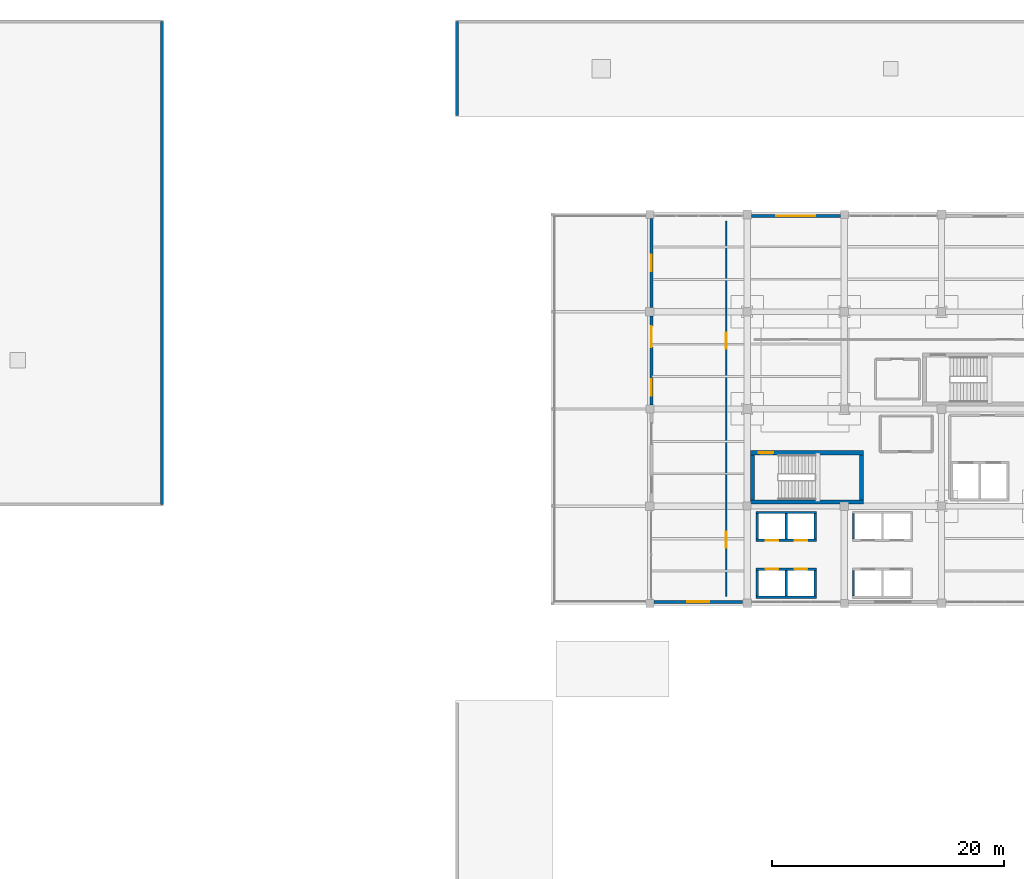
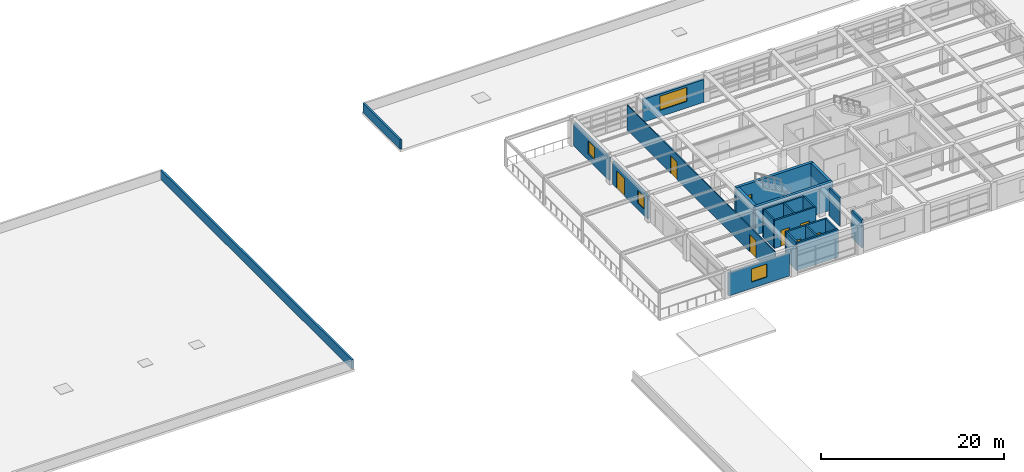
# One storey, part 31 of 35: 23 walls, 8 doors, 4 windows, 12 openings.
"""IFC4 building model written with IfcOpenShell, lengths in metres."""

from ifc_helpers import new_model, si_unit, direction, frame, frame_2d, origin, place, context, subcontext, project, spatial, rectangle, extrude, material, layer, layer_set, type_object, element, fill, save


model = new_model("IFC4")

# Units and contexts
model_context = context("Model", 3, precision=1e-05, world=origin(), true_north=direction((0.0, 1.0)))
body_context = subcontext(model_context, "Body", "Model", "MODEL_VIEW")
ifc_project = project(units=[si_unit("LENGTHUNIT", "METRE"), si_unit("AREAUNIT", "SQUARE_METRE"), si_unit("VOLUMEUNIT", "CUBIC_METRE"), si_unit("PLANEANGLEUNIT", "RADIAN"), si_unit("MASSUNIT", "GRAM", prefix="KILO")], contexts=[model_context])

# Site, building, storey
site_placement = place(None, origin())
site = spatial("IfcSite", under=ifc_project, at=site_placement, CompositionType="ELEMENT")
building_placement = place(site_placement, origin())
building = spatial("IfcBuilding", under=site, at=building_placement, Name="Almacenes y Pasaje Nevantli", CompositionType="ELEMENT")
storey_placement = place(building_placement, frame((0.0, 0.0, 26.699951171875)))
storey = spatial("IfcBuildingStorey", under=building, at=storey_placement, Name="L06", CompositionType="ELEMENT", Elevation=26.699951171875)

# Wall
ifc_material_1 = material(Name="Concrete C45/55", Category="concrete")
ifc_layer_1 = layer(ifc_material_1, 0.35009765625)
ifc_layer_set_1 = layer_set([ifc_layer_1], Name="Concrete C45/55")
wall_type_1 = type_object("IfcWallType", Name="WL-CORE-350", PredefinedType="SHEAR", material=ifc_layer_set_1)
wall_1_placement = place(storey_placement, frame((117.89990234375, 75.97509765625, 0.0), z_axis=(0.0, 0.0, 1.0), x_axis=(1.0, 0.0, 0.0)))
element("IfcWall", 1, at=wall_1_placement, inside=storey, type_object=wall_type_1, Name="L06 Exit Stair ST-01 South Core Shear Wall", PredefinedType="SHEAR", context=body_context, shape_type="SweptSolid", body=[
    extrude(rectangle(XDim=9.75, YDim=0.35009765625, at=frame_2d((4.875, 0.0))), origin(), (0.0, 0.0, 1.0), 3.719970703125),
])

# Wall, opening, door
wall_2_placement = place(storey_placement, frame((117.89990234375, 80.215087890625, 0.0), z_axis=(0.0, 0.0, 1.0), x_axis=(1.0, 0.0, 0.0)))
wall_2 = element("IfcWall", 2, at=wall_2_placement, inside=storey, type_object=wall_type_1, Name="L06 Exit Stair ST-01 North Core Shear Wall", PredefinedType="SHEAR", context=body_context, shape_type="SweptSolid", body=[
    extrude(rectangle(XDim=9.75, YDim=0.35009765625, at=frame_2d((4.875, 0.0))), origin(), (0.0, 0.0, 1.0), 3.719970703125),
])
opening_1_placement = place(wall_2_placement, frame((0.719970703125, 0.0, 0.0)))
opening_1 = element("IfcOpeningElement", 3, at=opening_1_placement, cuts=wall_2, Name="Opening SD-01-L06", PredefinedType="OPENING", context=body_context, shape_type="SweptSolid", body=[
    extrude(rectangle(XDim=1.25, YDim=2.199951171875, at=frame_2d((0.625, 1.10009765625))), frame((0.0, 0.18505859375, 0.0), z_axis=(0.0, -1.0, 0.0), x_axis=(1.0, 0.0, 0.0)), (0.0, 0.0, 1.0), 0.3701171875),
])
ifc_material_2 = material(Name="Galvanized Fire-Rated Steel", Category="steel")
door_type_1 = type_object("IfcDoorType", Name="DR-STAIR-1250", OperationType="SINGLE_SWING_LEFT", PredefinedType="DOOR", material=ifc_material_2)
door_1_placement = place(opening_1_placement, origin())
door_1 = element("IfcDoor", 4, at=door_1_placement, inside=storey, type_object=door_type_1, Name="L06 Smokeproof Exit Stair ST-01 Fire Door", OperationType="SINGLE_SWING_LEFT", OverallHeight=2.199951171875, OverallWidth=1.25, PredefinedType="DOOR", context=body_context, shape_type="SweptSolid", body=[
    extrude(rectangle(XDim=1.25, YDim=2.199951171875, at=frame_2d((0.625, 1.10009765625))), frame((0.0, 0.02490234375, 0.0), z_axis=(0.0, -1.0, 0.0), x_axis=(1.0, 0.0, 0.0)), (0.0, 0.0, 1.0), 0.050048828125),
])
fill(opening_1, door_1)

# Walls
for number, where, z_axis, x_axis, name in (
    (5, (118.074951171875, 76.14990234375, 0.0), (0.0, 0.0, 1.0), (0.0, 1.0, 0.0), "L06 Exit Stair ST-01 West Core Shear Wall"),
    (6, (127.47509765625, 76.14990234375, 0.0), (0.0, 0.0, 1.0), (0.0, 1.0, 0.0), "L06 Exit Stair ST-01 East Core Shear Wall"),
):
    element("IfcWall", number, at=place(storey_placement, frame(where, z_axis=z_axis, x_axis=x_axis)), inside=storey, type_object=wall_type_1, Name=name, PredefinedType="SHEAR", context=body_context, shape_type="SweptSolid", body=[
        extrude(rectangle(XDim=3.89013671875, YDim=0.35009765625, at=frame_2d((1.945068359375, 0.0))), origin(), (0.0, 0.0, 1.0), 3.719970703125),
    ])

# Wall, opening, window
ifc_material_3 = material(Name="Architectural Precast Concrete C35/45 Spandrel Wall", Category="concrete")
ifc_layer_2 = layer(ifc_material_3, 0.280029296875)
ifc_layer_set_2 = layer_set([ifc_layer_2], Name="Architectural Precast Concrete C35/45 Spandrel Wall")
wall_type_2 = type_object("IfcWallType", Name="WL-EXT-CANTERA-280", PredefinedType="SOLIDWALL", material=ifc_layer_set_2)
wall_3_placement = place(storey_placement, frame((117.97802734375, 100.659912109375, 0.0), z_axis=(0.0, 0.0, 1.0), x_axis=(1.0, 0.0, 0.0)))
wall_3 = element("IfcWall", 7, at=wall_3_placement, inside=storey, type_object=wall_type_2, Name="L06 Tower North Polychrome Cantera Wall Bay 15", PredefinedType="SOLIDWALL", context=body_context, shape_type="SweptSolid", body=[
    extrude(rectangle(XDim=7.669921875, YDim=0.280029296875, at=frame_2d((3.8349609375, 0.0))), origin(), (0.0, 0.0, 1.0), 3.0400390625),
])
opening_2_placement = place(wall_3_placement, frame((2.1220703125, 0.0, 0.85009765625)))
opening_2 = element("IfcOpeningElement", 8, at=opening_2_placement, cuts=wall_3, Name="Opening WT-27-192", PredefinedType="OPENING", context=body_context, shape_type="SweptSolid", body=[
    extrude(rectangle(XDim=3.39990234375, YDim=1.89990234375, at=frame_2d((1.699951171875, 0.949951171875))), frame((0.0, 0.14990234375, 0.0), z_axis=(0.0, -1.0, 0.0), x_axis=(1.0, 0.0, 0.0)), (0.0, 0.0, 1.0), 0.300048828125),
])
ifc_material_4 = material(Name="Thermally Broken Aluminium and Low-E Double Glazing", Category="aluminium")
window_type_1 = type_object("IfcWindowType", Name="WN-TWR-3400x1900", PartitioningType="SINGLE_PANEL", PredefinedType="WINDOW", material=ifc_material_4)
window_1_placement = place(opening_2_placement, origin())
window_1 = element("IfcWindow", 9, at=window_1_placement, inside=storey, type_object=window_type_1, Name="L06 Exterior Window WT-27 #192", OverallHeight=1.89990234375, OverallWidth=3.39990234375, PartitioningType="SINGLE_PANEL", PredefinedType="WINDOW", context=body_context, shape_type="SweptSolid", body=[
    extrude(rectangle(XDim=3.39990234375, YDim=1.89990234375, at=frame_2d((1.699951171875, 0.949951171875))), frame((0.0, 0.030029296875, 0.0), z_axis=(0.0, -1.0, 0.0), x_axis=(1.0, 0.0, 0.0)), (0.0, 0.0, 1.0), 0.06005859375),
])
fill(opening_2, window_1)

# Wall, openings, door, window
wall_4_placement = place(storey_placement, frame((109.340087890625, 84.35205078125, 0.0), z_axis=(0.0, 0.0, 1.0), x_axis=(0.0, 1.0, 0.0)))
wall_4 = element("IfcWall", 10, at=wall_4_placement, inside=storey, type_object=wall_type_2, Name="L06 Tower West Ziggurat Terrace Door Wall Bay 11", PredefinedType="SOLIDWALL", context=body_context, shape_type="SweptSolid", body=[
    extrude(rectangle(XDim=7.669921875, YDim=0.280029296875, at=frame_2d((3.8349609375, 0.0))), origin(), (0.0, 0.0, 1.0), 3.0400390625),
])
opening_3_placement = place(wall_4_placement, frame((0.798095703125, 0.0, 0.85009765625)))
opening_3 = element("IfcOpeningElement", 11, at=opening_3_placement, cuts=wall_4, Name="Opening WT-34-199", PredefinedType="OPENING", context=body_context, shape_type="SweptSolid", body=[
    extrude(rectangle(XDim=1.39990234375, YDim=1.699951171875, at=frame_2d((0.699951171875, 0.85009765625))), frame((0.0, 0.14990234375, 0.0), z_axis=(0.0, -1.0, 0.0), x_axis=(1.0, 0.0, 0.0)), (0.0, 0.0, 1.0), 0.300048828125),
])
opening_4_placement = place(wall_4_placement, frame((4.998046875, 0.0, 0.0)))
opening_4 = element("IfcOpeningElement", 12, at=opening_4_placement, cuts=wall_4, Name="Opening ED-L06-042", PredefinedType="OPENING", context=body_context, shape_type="SweptSolid", body=[
    extrude(rectangle(XDim=1.800048828125, YDim=2.35009765625, at=frame_2d((0.89990234375, 1.175048828125))), frame((0.0, 0.14990234375, 0.0), z_axis=(0.0, -1.0, 0.0), x_axis=(1.0, 0.0, 0.0)), (0.0, 0.0, 1.0), 0.300048828125),
])
ifc_material_5 = material(Name="Anodized Aluminium and Safety Glass", Category="aluminium")
door_type_2 = type_object("IfcDoorType", Name="DR-EXT-TER-1800", OperationType="DOUBLE_DOOR_SINGLE_SWING", PredefinedType="DOOR", material=ifc_material_5)
door_2_placement = place(opening_4_placement, origin())
door_2 = element("IfcDoor", 13, at=door_2_placement, inside=storey, type_object=door_type_2, Name="L06 Office Lounge to Ziggurat Roof Terrace Door #2", OperationType="DOUBLE_DOOR_SINGLE_SWING", OverallHeight=2.35009765625, OverallWidth=1.800048828125, PredefinedType="DOOR", context=body_context, shape_type="SweptSolid", body=[
    extrude(rectangle(XDim=1.800048828125, YDim=2.35009765625, at=frame_2d((0.89990234375, 1.175048828125))), frame((0.0, 0.02490234375, 0.0), z_axis=(0.0, -1.0, 0.0), x_axis=(1.0, 0.0, 0.0)), (0.0, 0.0, 1.0), 0.050048828125),
])
fill(opening_4, door_2)
ifc_material_6 = material(Name="Thermally Broken Aluminium and Low-E Double Glazing", Category="aluminium")
window_type_2 = type_object("IfcWindowType", Name="WN-TWR-1400x1700", PartitioningType="SINGLE_PANEL", PredefinedType="WINDOW", material=ifc_material_6)
window_2_placement = place(opening_3_placement, origin())
window_2 = element("IfcWindow", 14, at=window_2_placement, inside=storey, type_object=window_type_2, Name="L06 Exterior Window WT-34 #199", OverallHeight=1.699951171875, OverallWidth=1.39990234375, PartitioningType="SINGLE_PANEL", PredefinedType="WINDOW", context=body_context, shape_type="SweptSolid", body=[
    extrude(rectangle(XDim=1.39990234375, YDim=1.699951171875, at=frame_2d((0.699951171875, 0.85009765625))), frame((0.0, 0.030029296875, 0.0), z_axis=(0.0, -1.0, 0.0), x_axis=(1.0, 0.0, 0.0)), (0.0, 0.0, 1.0), 0.06005859375),
])
fill(opening_3, window_2)

# Wall, opening, window
wall_5_placement = place(storey_placement, frame((109.340087890625, 92.778076171875, 0.0), z_axis=(0.0, 0.0, 1.0), x_axis=(0.0, 1.0, 0.0)))
wall_5 = element("IfcWall", 15, at=wall_5_placement, inside=storey, type_object=wall_type_2, Name="L06 Tower West Cantera Wall Bay 12", PredefinedType="SOLIDWALL", context=body_context, shape_type="SweptSolid", body=[
    extrude(rectangle(XDim=7.66796875, YDim=0.280029296875, at=frame_2d((3.833984375, 0.0))), origin(), (0.0, 0.0, 1.0), 3.0400390625),
])
opening_5_placement = place(wall_5_placement, frame((3.1220703125, 0.0, 0.85009765625)))
opening_5 = element("IfcOpeningElement", 16, at=opening_5_placement, cuts=wall_5, Name="Opening WT-34-201", PredefinedType="OPENING", context=body_context, shape_type="SweptSolid", body=[
    extrude(rectangle(XDim=1.39990234375, YDim=1.699951171875, at=frame_2d((0.699951171875, 0.85009765625))), frame((0.0, 0.14990234375, 0.0), z_axis=(0.0, -1.0, 0.0), x_axis=(1.0, 0.0, 0.0)), (0.0, 0.0, 1.0), 0.300048828125),
])
window_3_placement = place(opening_5_placement, origin())
window_3 = element("IfcWindow", 17, at=window_3_placement, inside=storey, type_object=window_type_2, Name="L06 Exterior Window WT-34 #201", OverallHeight=1.699951171875, OverallWidth=1.39990234375, PartitioningType="SINGLE_PANEL", PredefinedType="WINDOW", context=body_context, shape_type="SweptSolid", body=[
    extrude(rectangle(XDim=1.39990234375, YDim=1.699951171875, at=frame_2d((0.699951171875, 0.85009765625))), frame((0.0, 0.030029296875, 0.0), z_axis=(0.0, -1.0, 0.0), x_axis=(1.0, 0.0, 0.0)), (0.0, 0.0, 1.0), 0.06005859375),
])
fill(opening_5, window_3)

ifc_material_7 = material(Name="Cream Architectural Precast Concrete C35/45 Wall", Category="concrete")
ifc_layer_3 = layer(ifc_material_7, 0.260009765625)
ifc_layer_set_3 = layer_set([ifc_layer_3], Name="Cream Architectural Precast Concrete C35/45 Wall")
wall_type_3 = type_object("IfcWallType", Name="WL-EXT-PRECAST-260", PredefinedType="SOLIDWALL", material=ifc_layer_set_3)
wall_6_placement = place(storey_placement, frame((109.553955078125, 67.340087890625, 0.0), z_axis=(0.0, 0.0, 1.0), x_axis=(1.0, 0.0, 0.0)))
wall_6 = element("IfcWall", 18, at=wall_6_placement, inside=storey, type_object=wall_type_3, Name="L06 Tower South Precast Spandrel Wall Bay 14", PredefinedType="SOLIDWALL", context=body_context, shape_type="SweptSolid", body=[
    extrude(rectangle(XDim=7.66796875, YDim=0.260009765625, at=frame_2d((3.833984375, 0.0))), origin(), (0.0, 0.0, 1.0), 3.0400390625),
])
opening_6_placement = place(wall_6_placement, frame((2.89599609375, 0.0, 0.85009765625)))
opening_6 = element("IfcOpeningElement", 19, at=opening_6_placement, cuts=wall_6, Name="Opening WT-32-191", PredefinedType="OPENING", context=body_context, shape_type="SweptSolid", body=[
    extrude(rectangle(XDim=1.89990234375, YDim=1.75, at=frame_2d((0.949951171875, 0.875))), frame((0.0, 0.139892578125, 0.0), z_axis=(0.0, -1.0, 0.0), x_axis=(1.0, 0.0, 0.0)), (0.0, 0.0, 1.0), 0.280029296875),
])
ifc_material_8 = material(Name="Thermally Broken Aluminium and Low-E Double Glazing", Category="aluminium")
window_type_3 = type_object("IfcWindowType", Name="WN-TWR-1900x1750", PartitioningType="SINGLE_PANEL", PredefinedType="WINDOW", material=ifc_material_8)
window_4_placement = place(opening_6_placement, origin())
window_4 = element("IfcWindow", 20, at=window_4_placement, inside=storey, type_object=window_type_3, Name="L06 Exterior Window WT-32 #191", OverallHeight=1.75, OverallWidth=1.89990234375, PartitioningType="SINGLE_PANEL", PredefinedType="WINDOW", context=body_context, shape_type="SweptSolid", body=[
    extrude(rectangle(XDim=1.89990234375, YDim=1.75, at=frame_2d((0.949951171875, 0.875))), frame((0.0, 0.030029296875, 0.0), z_axis=(0.0, -1.0, 0.0), x_axis=(1.0, 0.0, 0.0)), (0.0, 0.0, 1.0), 0.06005859375),
])
fill(opening_6, window_4)

# Walls
ifc_material_9 = material(Name="Reinforced Concrete C35/45 Roof Parapet", Category="concrete")
ifc_layer_4 = layer(ifc_material_9, 0.239990234375)
ifc_layer_set_4 = layer_set([ifc_layer_4], Name="Reinforced Concrete C35/45 Roof Parapet")
wall_type_4 = type_object("IfcWallType", Name="WL-PARAPET-240", PredefinedType="PARAPET", material=ifc_layer_set_4)
wall_7_placement = place(storey_placement, frame((67.050048828125, 75.75, 0.0), z_axis=(0.0, 0.0, 1.0), x_axis=(0.0, 1.0, 0.0)))
element("IfcWall", 21, at=wall_7_placement, inside=storey, type_object=wall_type_4, Name="L06 NW Plant Roof East Parapet", PredefinedType="PARAPET", context=body_context, shape_type="SweptSolid", body=[
    extrude(rectangle(XDim=41.699951171875, YDim=0.239990234375, at=frame_2d((20.85009765625, 0.0))), origin(), (0.0, 0.0, 1.0), 1.25),
])
wall_8_placement = place(storey_placement, frame((92.550048828125, 109.35009765625, 0.0), z_axis=(0.0, 0.0, 1.0), x_axis=(0.0, 1.0, 0.0)))
element("IfcWall", 22, at=wall_8_placement, inside=storey, type_object=wall_type_4, Name="L06 Arcade East Roof North Parapet", PredefinedType="PARAPET", context=body_context, shape_type="SweptSolid", body=[
    extrude(rectangle(XDim=8.099853515625, YDim=0.239990234375, at=frame_2d((4.0498046875, 0.0))), origin(), (0.0, 0.0, 1.0), 1.25),
])

# Wall, openings, doors
ifc_material_10 = material(Name="Standard Steel-Stud Gypsum Partition", Category="steel")
ifc_layer_5 = layer(ifc_material_10, 0.1201171875)
ifc_layer_set_5 = layer_set([ifc_layer_5], Name="Standard Steel-Stud Gypsum Partition")
wall_type_5 = type_object("IfcWallType", Name="WL-PART-120", PredefinedType="PARTITIONING", material=ifc_layer_set_5)
wall_9_placement = place(storey_placement, frame((115.800048828125, 67.800048828125, 0.0), z_axis=(0.0, 0.0, 1.0), x_axis=(0.0, 1.0, 0.0)))
wall_9 = element("IfcWall", 23, at=wall_9_placement, inside=storey, type_object=wall_type_5, Name="L06 Interior Partition Wall IW-120 #124", PredefinedType="PARTITIONING", context=body_context, shape_type="SweptSolid", body=[
    extrude(rectangle(XDim=32.39990234375, YDim=0.1201171875, at=frame_2d((16.199951171875, 0.0))), origin(), (0.0, 0.0, 1.0), 3.340087890625),
])
opening_7_placement = place(wall_9_placement, frame((4.199951171875, 0.0, 0.0)))
opening_7 = element("IfcOpeningElement", 24, at=opening_7_placement, cuts=wall_9, Name="Opening ID-L06-064", PredefinedType="OPENING", context=body_context, shape_type="SweptSolid", body=[
    extrude(rectangle(XDim=1.39990234375, YDim=2.35009765625, at=frame_2d((0.699951171875, 1.175048828125))), frame((0.0, 0.070068359375, 0.0), z_axis=(0.0, -1.0, 0.0), x_axis=(1.0, 0.0, 0.0)), (0.0, 0.0, 1.0), 0.14013671875),
])
opening_8_placement = place(wall_9_placement, frame((21.39990234375, 0.0, 0.0)))
opening_8 = element("IfcOpeningElement", 25, at=opening_8_placement, cuts=wall_9, Name="Opening ID-L06-065", PredefinedType="OPENING", context=body_context, shape_type="SweptSolid", body=[
    extrude(rectangle(XDim=1.39990234375, YDim=2.35009765625, at=frame_2d((0.699951171875, 1.175048828125))), frame((0.0, 0.070068359375, 0.0), z_axis=(0.0, -1.0, 0.0), x_axis=(1.0, 0.0, 0.0)), (0.0, 0.0, 1.0), 0.14013671875),
])
ifc_material_11 = material(Name="Framed Tempered Safety Glass", Category="glass")
door_type_3 = type_object("IfcDoorType", Name="DR-GLZ-1400", OperationType="DOUBLE_DOOR_SINGLE_SWING", PredefinedType="DOOR", material=ifc_material_11)
door_3_placement = place(opening_7_placement, origin())
door_3 = element("IfcDoor", 26, at=door_3_placement, inside=storey, type_object=door_type_3, Name="L06 L06 Terrace Lounge South Door", OperationType="DOUBLE_DOOR_SINGLE_SWING", OverallHeight=2.35009765625, OverallWidth=1.39990234375, PredefinedType="DOOR", context=body_context, shape_type="SweptSolid", body=[
    extrude(rectangle(XDim=1.39990234375, YDim=2.35009765625, at=frame_2d((0.699951171875, 1.175048828125))), frame((0.0, 0.02490234375, 0.0), z_axis=(0.0, -1.0, 0.0), x_axis=(1.0, 0.0, 0.0)), (0.0, 0.0, 1.0), 0.050048828125),
])
fill(opening_7, door_3)
door_4_placement = place(opening_8_placement, origin())
door_4 = element("IfcDoor", 27, at=door_4_placement, inside=storey, type_object=door_type_3, Name="L06 L06 Terrace Lounge North Door", OperationType="DOUBLE_DOOR_SINGLE_SWING", OverallHeight=2.35009765625, OverallWidth=1.39990234375, PredefinedType="DOOR", context=body_context, shape_type="SweptSolid", body=[
    extrude(rectangle(XDim=1.39990234375, YDim=2.35009765625, at=frame_2d((0.699951171875, 1.175048828125))), frame((0.0, 0.02490234375, 0.0), z_axis=(0.0, -1.0, 0.0), x_axis=(1.0, 0.0, 0.0)), (0.0, 0.0, 1.0), 0.050048828125),
])
fill(opening_8, door_4)

# Walls
ifc_material_12 = material(Name="Concrete C45/55", Category="concrete")
ifc_layer_6 = layer(ifc_material_12, 0.2099609375)
ifc_layer_set_6 = layer_set([ifc_layer_6], Name="Concrete C45/55")
wall_type_6 = type_object("IfcWallType", Name="WL-SHAFT-210", PredefinedType="SHEAR", material=ifc_layer_set_6)
for number, where, z_axis, x_axis, name in (
    (28, (126.794921875, 67.85009765625, 0.0), (0.0, 0.0, 1.0), (0.0, 1.0, 0.0), "L06 Lift Hoistway ELV-P01 West Wall"),
    (29, (126.794921875, 72.75, 0.0), (0.0, 0.0, 1.0), (0.0, 1.0, 0.0), "L06 Lift Hoistway ELV-P03 West Wall"),
):
    element("IfcWall", number, at=place(storey_placement, frame(where, z_axis=z_axis, x_axis=x_axis)), inside=storey, type_object=wall_type_6, Name=name, PredefinedType="SHEAR", context=body_context, shape_type="SweptSolid", body=[
        extrude(rectangle(XDim=2.199951171875, YDim=0.2099609375, at=frame_2d((1.10009765625, 0.0))), origin(), (0.0, 0.0, 1.0), 3.719970703125),
    ])
wall_10_placement = place(storey_placement, frame((118.389892578125, 67.7451171875, 0.0), z_axis=(0.0, 0.0, 1.0), x_axis=(1.0, 0.0, 0.0)))
element("IfcWall", 30, at=wall_10_placement, inside=storey, type_object=wall_type_6, Name="L06 Lift Hoistway ELV-P05-ELV-P06 South Wall", PredefinedType="SHEAR", context=body_context, shape_type="SweptSolid", body=[
    extrude(rectangle(XDim=5.22021484375, YDim=0.2099609375, at=frame_2d((2.610107421875, 0.0))), origin(), (0.0, 0.0, 1.0), 3.719970703125),
])

# Wall, openings, doors
wall_11_placement = place(storey_placement, frame((118.389892578125, 70.155029296875, 0.0), z_axis=(0.0, 0.0, 1.0), x_axis=(1.0, 0.0, 0.0)))
wall_11 = element("IfcWall", 31, at=wall_11_placement, inside=storey, type_object=wall_type_6, Name="L06 Lift Hoistway ELV-P05-ELV-P06 North Wall", PredefinedType="SHEAR", context=body_context, shape_type="SweptSolid", body=[
    extrude(rectangle(XDim=5.22021484375, YDim=0.2099609375, at=frame_2d((2.610107421875, 0.0))), origin(), (0.0, 0.0, 1.0), 3.719970703125),
])
opening_9_placement = place(wall_11_placement, frame((0.81005859375, 0.0, 0.0)))
opening_9 = element("IfcOpeningElement", 32, at=opening_9_placement, cuts=wall_11, Name="Opening LD-P05-L06", PredefinedType="OPENING", context=body_context, shape_type="SweptSolid", body=[
    extrude(rectangle(XDim=1.10009765625, YDim=2.14990234375, at=frame_2d((0.550048828125, 1.074951171875))), frame((0.0, 0.114990234375, 0.0), z_axis=(0.0, -1.0, 0.0), x_axis=(1.0, 0.0, 0.0)), (0.0, 0.0, 1.0), 0.22998046875),
])
opening_10_placement = place(wall_11_placement, frame((3.31005859375, 0.0, 0.0)))
opening_10 = element("IfcOpeningElement", 33, at=opening_10_placement, cuts=wall_11, Name="Opening LD-P06-L06", PredefinedType="OPENING", context=body_context, shape_type="SweptSolid", body=[
    extrude(rectangle(XDim=1.10009765625, YDim=2.14990234375, at=frame_2d((0.550048828125, 1.074951171875))), frame((0.0, 0.114990234375, 0.0), z_axis=(0.0, -1.0, 0.0), x_axis=(1.0, 0.0, 0.0)), (0.0, 0.0, 1.0), 0.22998046875),
])
ifc_material_13 = material(Name="Brushed Stainless Steel", Category="steel")
door_type_4 = type_object("IfcDoorType", Name="DR-LD-PASS-1100", OperationType="DOUBLE_DOOR_SLIDING", PredefinedType="DOOR", material=ifc_material_13)
door_5_placement = place(opening_9_placement, origin())
door_5 = element("IfcDoor", 34, at=door_5_placement, inside=storey, type_object=door_type_4, Name="Lift Landing Door ELV-P05 L06", OperationType="DOUBLE_DOOR_SLIDING", OverallHeight=2.14990234375, OverallWidth=1.10009765625, PredefinedType="DOOR", context=body_context, shape_type="SweptSolid", body=[
    extrude(rectangle(XDim=1.10009765625, YDim=2.14990234375, at=frame_2d((0.550048828125, 1.074951171875))), frame((0.0, 0.02490234375, 0.0), z_axis=(0.0, -1.0, 0.0), x_axis=(1.0, 0.0, 0.0)), (0.0, 0.0, 1.0), 0.050048828125),
])
fill(opening_9, door_5)
door_6_placement = place(opening_10_placement, origin())
door_6 = element("IfcDoor", 35, at=door_6_placement, inside=storey, type_object=door_type_4, Name="Lift Landing Door ELV-P06 L06", OperationType="DOUBLE_DOOR_SLIDING", OverallHeight=2.14990234375, OverallWidth=1.10009765625, PredefinedType="DOOR", context=body_context, shape_type="SweptSolid", body=[
    extrude(rectangle(XDim=1.10009765625, YDim=2.14990234375, at=frame_2d((0.550048828125, 1.074951171875))), frame((0.0, 0.02490234375, 0.0), z_axis=(0.0, -1.0, 0.0), x_axis=(1.0, 0.0, 0.0)), (0.0, 0.0, 1.0), 0.050048828125),
])
fill(opening_10, door_6)

# Walls
for number, where, z_axis, x_axis, name in (
    (36, (118.4951171875, 67.85009765625, 0.0), (0.0, 0.0, 1.0), (0.0, 1.0, 0.0), "L06 Lift Hoistway ELV-P05 West Wall"),
    (37, (123.5048828125, 67.85009765625, 0.0), (0.0, 0.0, 1.0), (0.0, 1.0, 0.0), "L06 Lift Hoistway ELV-P06 East Wall"),
    (38, (121.0, 67.85009765625, 0.0), (0.0, 0.0, 1.0), (0.0, 1.0, 0.0), "L06 Lift Hoistway Divider Wall ELV-P05/ELV-P06"),
):
    element("IfcWall", number, at=place(storey_placement, frame(where, z_axis=z_axis, x_axis=x_axis)), inside=storey, type_object=wall_type_6, Name=name, PredefinedType="SHEAR", context=body_context, shape_type="SweptSolid", body=[
        extrude(rectangle(XDim=2.199951171875, YDim=0.2099609375, at=frame_2d((1.10009765625, 0.0))), origin(), (0.0, 0.0, 1.0), 3.719970703125),
    ])

# Wall, openings, doors
wall_12_placement = place(storey_placement, frame((118.389892578125, 72.64501953125, 0.0), z_axis=(0.0, 0.0, 1.0), x_axis=(1.0, 0.0, 0.0)))
wall_12 = element("IfcWall", 39, at=wall_12_placement, inside=storey, type_object=wall_type_6, Name="L06 Lift Hoistway ELV-P07-ELV-P08 South Wall", PredefinedType="SHEAR", context=body_context, shape_type="SweptSolid", body=[
    extrude(rectangle(XDim=5.22021484375, YDim=0.2099609375, at=frame_2d((2.610107421875, 0.0))), origin(), (0.0, 0.0, 1.0), 3.719970703125),
])
opening_11_placement = place(wall_12_placement, frame((0.81005859375, 0.0, 0.0)))
opening_11 = element("IfcOpeningElement", 40, at=opening_11_placement, cuts=wall_12, Name="Opening LD-P07-L06", PredefinedType="OPENING", context=body_context, shape_type="SweptSolid", body=[
    extrude(rectangle(XDim=1.10009765625, YDim=2.14990234375, at=frame_2d((0.550048828125, 1.074951171875))), frame((0.0, 0.114990234375, 0.0), z_axis=(0.0, -1.0, 0.0), x_axis=(1.0, 0.0, 0.0)), (0.0, 0.0, 1.0), 0.22998046875),
])
opening_12_placement = place(wall_12_placement, frame((3.31005859375, 0.0, 0.0)))
opening_12 = element("IfcOpeningElement", 41, at=opening_12_placement, cuts=wall_12, Name="Opening LD-P08-L06", PredefinedType="OPENING", context=body_context, shape_type="SweptSolid", body=[
    extrude(rectangle(XDim=1.10009765625, YDim=2.14990234375, at=frame_2d((0.550048828125, 1.074951171875))), frame((0.0, 0.114990234375, 0.0), z_axis=(0.0, -1.0, 0.0), x_axis=(1.0, 0.0, 0.0)), (0.0, 0.0, 1.0), 0.22998046875),
])
door_7_placement = place(opening_11_placement, origin())
door_7 = element("IfcDoor", 42, at=door_7_placement, inside=storey, type_object=door_type_4, Name="Lift Landing Door ELV-P07 L06", OperationType="DOUBLE_DOOR_SLIDING", OverallHeight=2.14990234375, OverallWidth=1.10009765625, PredefinedType="DOOR", context=body_context, shape_type="SweptSolid", body=[
    extrude(rectangle(XDim=1.10009765625, YDim=2.14990234375, at=frame_2d((0.550048828125, 1.074951171875))), frame((0.0, 0.02490234375, 0.0), z_axis=(0.0, -1.0, 0.0), x_axis=(1.0, 0.0, 0.0)), (0.0, 0.0, 1.0), 0.050048828125),
])
fill(opening_11, door_7)
door_8_placement = place(opening_12_placement, origin())
door_8 = element("IfcDoor", 43, at=door_8_placement, inside=storey, type_object=door_type_4, Name="Lift Landing Door ELV-P08 L06", OperationType="DOUBLE_DOOR_SLIDING", OverallHeight=2.14990234375, OverallWidth=1.10009765625, PredefinedType="DOOR", context=body_context, shape_type="SweptSolid", body=[
    extrude(rectangle(XDim=1.10009765625, YDim=2.14990234375, at=frame_2d((0.550048828125, 1.074951171875))), frame((0.0, 0.02490234375, 0.0), z_axis=(0.0, -1.0, 0.0), x_axis=(1.0, 0.0, 0.0)), (0.0, 0.0, 1.0), 0.050048828125),
])
fill(opening_12, door_8)

# Walls
wall_13_placement = place(storey_placement, frame((118.389892578125, 75.054931640625, 0.0), z_axis=(0.0, 0.0, 1.0), x_axis=(1.0, 0.0, 0.0)))
element("IfcWall", 44, at=wall_13_placement, inside=storey, type_object=wall_type_6, Name="L06 Lift Hoistway ELV-P07-ELV-P08 North Wall", PredefinedType="SHEAR", context=body_context, shape_type="SweptSolid", body=[
    extrude(rectangle(XDim=5.22021484375, YDim=0.2099609375, at=frame_2d((2.610107421875, 0.0))), origin(), (0.0, 0.0, 1.0), 3.719970703125),
])
for number, where, z_axis, x_axis, name in (
    (45, (118.4951171875, 72.75, 0.0), (0.0, 0.0, 1.0), (0.0, 1.0, 0.0), "L06 Lift Hoistway ELV-P07 West Wall"),
    (46, (123.5048828125, 72.75, 0.0), (0.0, 0.0, 1.0), (0.0, 1.0, 0.0), "L06 Lift Hoistway ELV-P08 East Wall"),
    (47, (121.0, 72.75, 0.0), (0.0, 0.0, 1.0), (0.0, 1.0, 0.0), "L06 Lift Hoistway Divider Wall ELV-P07/ELV-P08"),
):
    element("IfcWall", number, at=place(storey_placement, frame(where, z_axis=z_axis, x_axis=x_axis)), inside=storey, type_object=wall_type_6, Name=name, PredefinedType="SHEAR", context=body_context, shape_type="SweptSolid", body=[
        extrude(rectangle(XDim=2.199951171875, YDim=0.2099609375, at=frame_2d((1.10009765625, 0.0))), origin(), (0.0, 0.0, 1.0), 3.719970703125),
    ])

save(model, "model.ifc")
